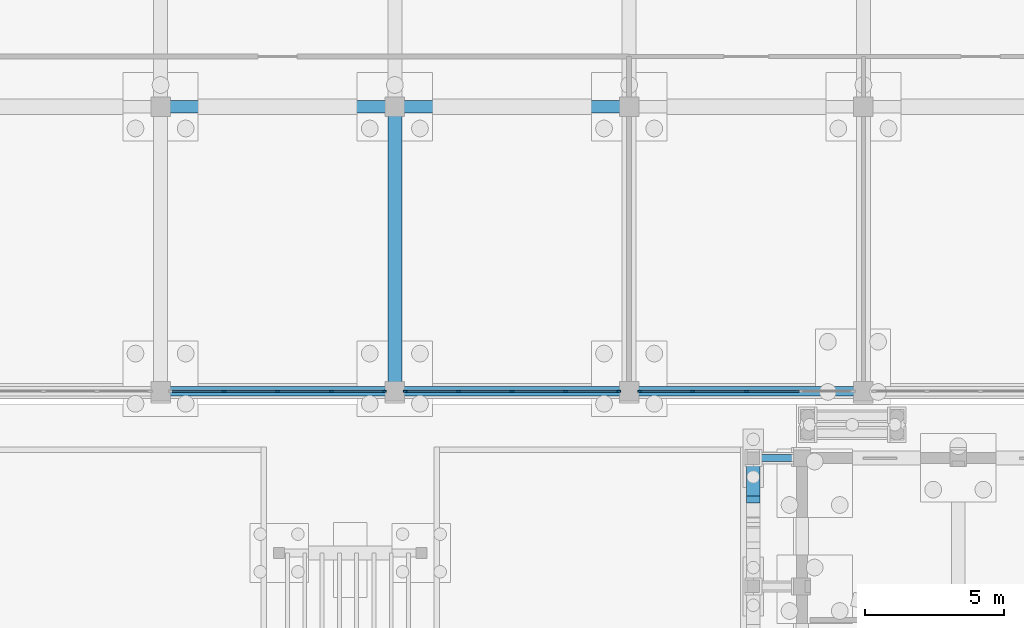
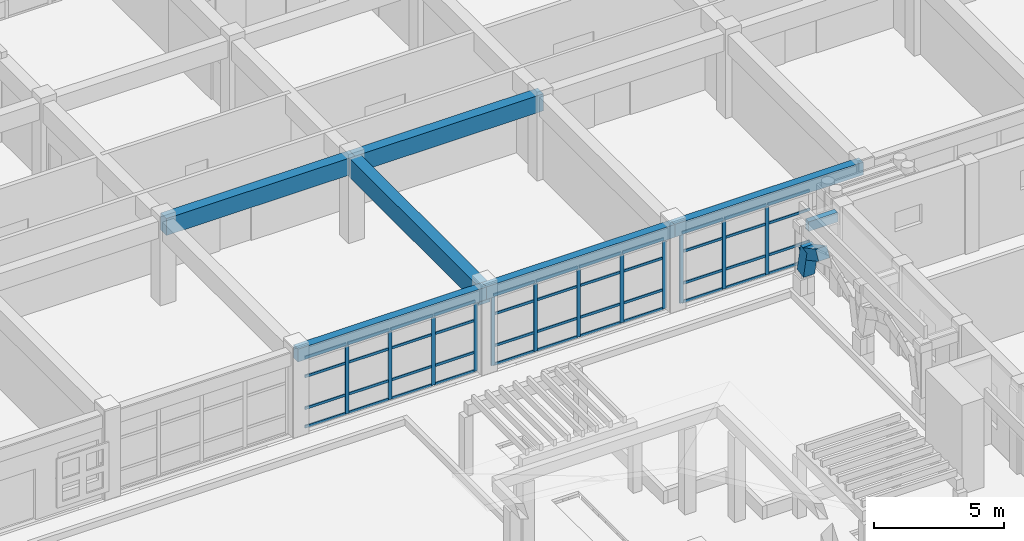
# One storey, part 37 of 112: 58 members, 7 beams, 3 elements without a shape of their own.
"""IFC4 building model written with IfcOpenShell, lengths in metres."""

from ifc_helpers import new_model, si_unit, direction, frame, origin, origin_2d, place, context, subcontext, project, spatial, rectangle, extrude, material, layer, layer_set, material_profile, profile_set, type_object, element, aggregate, save


model = new_model("IFC4")

# Units and contexts
model_context = context("Model", 3, precision=1e-05, world=origin(), true_north=direction((0.0, 1.0)))
body_context = subcontext(model_context, "Body", "Model", "MODEL_VIEW")
ifc_project = project(units=[si_unit("LENGTHUNIT", "METRE"), si_unit("AREAUNIT", "SQUARE_METRE"), si_unit("VOLUMEUNIT", "CUBIC_METRE"), si_unit("PLANEANGLEUNIT", "RADIAN"), si_unit("MASSUNIT", "GRAM", prefix="KILO")], contexts=[model_context])

# Site, building, storey
site_placement = place(None, origin())
site = spatial("IfcSite", under=ifc_project, at=site_placement, CompositionType="ELEMENT")
building_placement = place(site_placement, origin())
building = spatial("IfcBuilding", under=site, at=building_placement, Name="Wasatch Bagh Community Centre", CompositionType="ELEMENT")
storey_placement = place(building_placement, origin())
storey = spatial("IfcBuildingStorey", under=building, at=storey_placement, Name="L00", CompositionType="ELEMENT", Elevation=0.0)

# Beam
ifc_material_1 = material(Name="Concrete C35", Category="concrete")
ifc_material_profile_1 = material_profile(ifc_material_1, rectangle(XDim=0.25, YDim=0.449951171875, at=origin_2d()), Name="RC 250x450")
ifc_profile_set_1 = profile_set([ifc_material_profile_1], Name="Concrete C35")
beam_type_1 = type_object("IfcBeamType", Name="CL-B2", PredefinedType="BEAM", material=ifc_profile_set_1)
beam_1_placement = place(storey_placement, frame((111.89990234375, 65.800048828125, 3.625), z_axis=(-1.0, 0.0, 0.0), x_axis=(0.0, -1.0, 0.0)))
element("IfcBeam", 1, at=beam_1_placement, inside=storey, type_object=beam_type_1, Name="CL-B2 arcade cross beam SH 7", PredefinedType="BEAM", context=body_context, shape_type="SweptSolid", body=[
    extrude(rectangle(XDim=0.25, YDim=0.449951171875, at=origin_2d()), origin(), (0.0, 0.0, 1.0), 1.2998046875),
])

# Members
ifc_material_2 = material(Name="Concrete C40", Category="concrete")
ifc_material_profile_2 = material_profile(ifc_material_2, rectangle(XDim=0.5, YDim=0.5, at=origin_2d()), Name="RC 500x500")
ifc_profile_set_2 = profile_set([ifc_material_profile_2], Name="Concrete C40")
member_type_1 = type_object("IfcMemberType", Name="CL-R1", PredefinedType="MEMBER", material=ifc_profile_set_2)
member_1_placement = place(storey_placement, frame((110.449951171875, 64.317138671875, 3.243408203125), z_axis=(0.0, 0.881702034553, -0.471806657715), x_axis=(-1.0, 0.0, 0.0)))
element("IfcMember", 2, at=member_1_placement, inside=storey, type_object=member_type_1, Name="CL-R1 arch rib SH 2.5", PredefinedType="MEMBER", context=body_context, shape_type="SweptSolid", body=[
    extrude(rectangle(XDim=0.5, YDim=0.5, at=origin_2d()), origin(), (0.0, 0.0, 1.0), 1.486572265625),
])
member_2_placement = place(storey_placement, frame((110.449951171875, 65.35693359375, 2.90478515625), z_axis=(0.0, 0.202550853272, -0.979271745655), x_axis=(-1.0, 0.0, 0.0)))
element("IfcMember", 3, at=member_2_placement, inside=storey, type_object=member_type_1, Name="CL-R1 arch rib SH 2.6", PredefinedType="MEMBER", context=body_context, shape_type="SweptSolid", body=[
    extrude(rectangle(XDim=0.5, YDim=0.5, at=origin_2d()), origin(), (0.0, 0.0, 1.0), 1.3271484375),
])

# Beams
ifc_material_profile_3 = material_profile(ifc_material_1, rectangle(XDim=0.35009765625, YDim=0.60009765625, at=origin_2d()), Name="RC 350x600")
ifc_profile_set_3 = profile_set([ifc_material_profile_3], Name="Concrete C35")
beam_type_2 = type_object("IfcBeamType", Name="LW RC 350x600", PredefinedType="BEAM", material=ifc_profile_set_3)
beam_2_placement = place(storey_placement, frame((89.199951171875, 68.199951171875, 3.6201171875), z_axis=(1.0, 0.0, 0.0), x_axis=(0.0, 1.0, 0.0)))
element("IfcBeam", 4, at=beam_2_placement, inside=storey, type_object=beam_type_2, Name="W4-W5Z", PredefinedType="BEAM", context=body_context, shape_type="SweptSolid", body=[
    extrude(rectangle(XDim=0.35009765625, YDim=0.60009765625, at=origin_2d()), origin(), (0.0, 0.0, 1.0), 8.400146484375),
])
for number, where, z_axis, x_axis, name in (
    (5, (97.60009765625, 68.199951171875, 3.6201171875), (1.0, 0.0, 0.0), (0.0, 1.0, 0.0), "W5-W6Z"),
    (6, (106.0, 68.199951171875, 3.6201171875), (1.0, 0.0, 0.0), (0.0, 1.0, 0.0), "W6-W7Z"),
):
    element("IfcBeam", number, at=place(storey_placement, frame(where, z_axis=z_axis, x_axis=x_axis)), inside=storey, type_object=beam_type_2, Name=name, PredefinedType="BEAM", context=body_context, shape_type="SweptSolid", body=[
        extrude(rectangle(XDim=0.35009765625, YDim=0.60009765625, at=origin_2d()), origin(), (0.0, 0.0, 1.0), 8.39990234375),
    ])
ifc_material_profile_4 = material_profile(ifc_material_1, rectangle(XDim=0.449951171875, YDim=0.800048828125, at=origin_2d()), Name="RC 450x800")
ifc_profile_set_4 = profile_set([ifc_material_profile_4], Name="Concrete C35")
beam_type_3 = type_object("IfcBeamType", Name="LW RC 450x800", PredefinedType="BEAM", material=ifc_profile_set_4)
beam_3_placement = place(storey_placement, frame((89.199951171875, 78.39990234375, 3.52001953125), z_axis=(1.0, 0.0, 0.0), x_axis=(0.0, 1.0, 0.0)))
element("IfcBeam", 7, at=beam_3_placement, inside=storey, type_object=beam_type_3, Name="W4-W5S", PredefinedType="BEAM", context=body_context, shape_type="SweptSolid", body=[
    extrude(rectangle(XDim=0.449951171875, YDim=0.800048828125, at=origin_2d()), origin(), (0.0, 0.0, 1.0), 8.400146484375),
])
beam_4_placement = place(storey_placement, frame((97.60009765625, 78.39990234375, 3.52001953125), z_axis=(1.0, 0.0, 0.0), x_axis=(0.0, 1.0, 0.0)))
element("IfcBeam", 8, at=beam_4_placement, inside=storey, type_object=beam_type_3, Name="W5-W6S", PredefinedType="BEAM", context=body_context, shape_type="SweptSolid", body=[
    extrude(rectangle(XDim=0.449951171875, YDim=0.800048828125, at=origin_2d()), origin(), (0.0, 0.0, 1.0), 8.39990234375),
])
ifc_material_profile_5 = material_profile(ifc_material_1, rectangle(XDim=0.5, YDim=0.89990234375, at=origin_2d()), Name="RC 500x900")
ifc_profile_set_5 = profile_set([ifc_material_profile_5], Name="Concrete C35")
beam_type_4 = type_object("IfcBeamType", Name="LW RC 500x900", PredefinedType="BEAM", material=ifc_profile_set_5)
beam_5_placement = place(storey_placement, frame((97.60009765625, 68.199951171875, 3.469970703125), z_axis=(0.0, 1.0, 0.0), x_axis=(-1.0, 0.0, 0.0)))
element("IfcBeam", 9, at=beam_5_placement, inside=storey, type_object=beam_type_4, Name="W5Z-S", PredefinedType="BEAM", context=body_context, shape_type="SweptSolid", body=[
    extrude(rectangle(XDim=0.5, YDim=0.89990234375, at=origin_2d()), origin(), (0.0, 0.0, 1.0), 10.199951171875),
])

# Curtain wall, members
ifc_material_3 = material(Name="Aluminium curtain wall frame with low-iron glass", Category="aluminium")
ifc_layer = layer(ifc_material_3, 0.139892578125)
ifc_layer_set = layer_set([ifc_layer], Name="Aluminium curtain wall frame with low-iron glass")
curtain_wall_type = type_object("IfcCurtainWallType", Name="LW terrace front curtain wall 140", PredefinedType="NOTDEFINED", material=ifc_layer_set)
curtain_wall_1_placement = place(storey_placement, origin())
curtain_wall_1 = element("IfcCurtainWall", 10, at=curtain_wall_1_placement, inside=storey, type_object=curtain_wall_type, Name="Curtain wall 00.02", PredefinedType="NOTDEFINED")
ifc_material_4 = material(Name="Aluminium extrusion", Category="aluminium")
ifc_material_profile_6 = material_profile(ifc_material_4, rectangle(XDim=0.06005859375, YDim=0.159912109375, at=origin_2d()), Name="AL 60x160")
ifc_profile_set_6 = profile_set([ifc_material_profile_6], Name="Aluminium extrusion")
member_type_2 = type_object("IfcMemberType", Name="LW curtain wall mullion 60x160 LW-CW3", PredefinedType="MULLION", material=ifc_profile_set_6)
member_3_placement = place(storey_placement, frame((91.47509765625, 68.199951171875, 0.0), z_axis=(0.0, 0.0, 1.0), x_axis=(0.0, 1.0, 0.0)))
member_3 = element("IfcMember", 11, at=member_3_placement, type_object=member_type_2, Name="LW-CW3 mullion 2", PredefinedType="MULLION", context=body_context, shape_type="SweptSolid", body=[
    extrude(rectangle(XDim=0.06005859375, YDim=0.159912109375, at=origin_2d()), origin(), (0.0, 0.0, 1.0), 3.320068359375),
])
member_4_placement = place(storey_placement, frame((93.39990234375, 68.199951171875, 0.0), z_axis=(0.0, 0.0, 1.0), x_axis=(0.0, 1.0, 0.0)))
member_4 = element("IfcMember", 12, at=member_4_placement, type_object=member_type_2, Name="LW-CW3 mullion 3", PredefinedType="MULLION", context=body_context, shape_type="SweptSolid", body=[
    extrude(rectangle(XDim=0.06005859375, YDim=0.159912109375, at=origin_2d()), origin(), (0.0, 0.0, 1.0), 3.320068359375),
])
member_5_placement = place(storey_placement, frame((95.324951171875, 68.199951171875, 0.0), z_axis=(0.0, 0.0, 1.0), x_axis=(0.0, 1.0, 0.0)))
member_5 = element("IfcMember", 13, at=member_5_placement, type_object=member_type_2, Name="LW-CW3 mullion 4", PredefinedType="MULLION", context=body_context, shape_type="SweptSolid", body=[
    extrude(rectangle(XDim=0.06005859375, YDim=0.159912109375, at=origin_2d()), origin(), (0.0, 0.0, 1.0), 3.320068359375),
])
member_6_placement = place(storey_placement, frame((97.219970703125, 68.199951171875, 0.0), z_axis=(0.0, 0.0, 1.0), x_axis=(0.0, 1.0, 0.0)))
member_6 = element("IfcMember", 14, at=member_6_placement, type_object=member_type_2, Name="LW-CW3 mullion 5", PredefinedType="MULLION", context=body_context, shape_type="SweptSolid", body=[
    extrude(rectangle(XDim=0.06005859375, YDim=0.159912109375, at=origin_2d()), origin(), (0.0, 0.0, 1.0), 3.320068359375),
])

curtain_wall_2_placement = place(storey_placement, origin())
curtain_wall_2 = element("IfcCurtainWall", 15, at=curtain_wall_2_placement, inside=storey, type_object=curtain_wall_type, Name="Curtain wall 00.03", PredefinedType="NOTDEFINED")
member_7_placement = place(storey_placement, frame((97.97998046875, 68.199951171875, 0.0), z_axis=(0.0, 0.0, 1.0), x_axis=(0.0, 1.0, 0.0)))
member_7 = element("IfcMember", 16, at=member_7_placement, type_object=member_type_2, Name="LW-CW3 mullion 1", PredefinedType="MULLION", context=body_context, shape_type="SweptSolid", body=[
    extrude(rectangle(XDim=0.06005859375, YDim=0.159912109375, at=origin_2d()), origin(), (0.0, 0.0, 1.0), 3.320068359375),
])
member_8_placement = place(storey_placement, frame((99.875, 68.199951171875, 0.0), z_axis=(0.0, 0.0, 1.0), x_axis=(0.0, 1.0, 0.0)))
member_8 = element("IfcMember", 17, at=member_8_placement, type_object=member_type_2, Name="LW-CW3 mullion 2", PredefinedType="MULLION", context=body_context, shape_type="SweptSolid", body=[
    extrude(rectangle(XDim=0.06005859375, YDim=0.159912109375, at=origin_2d()), origin(), (0.0, 0.0, 1.0), 3.320068359375),
])
member_9_placement = place(storey_placement, frame((101.800048828125, 68.199951171875, 0.0), z_axis=(0.0, 0.0, 1.0), x_axis=(0.0, 1.0, 0.0)))
member_9 = element("IfcMember", 18, at=member_9_placement, type_object=member_type_2, Name="LW-CW3 mullion 3", PredefinedType="MULLION", context=body_context, shape_type="SweptSolid", body=[
    extrude(rectangle(XDim=0.06005859375, YDim=0.159912109375, at=origin_2d()), origin(), (0.0, 0.0, 1.0), 3.320068359375),
])
member_10_placement = place(storey_placement, frame((103.72509765625, 68.199951171875, 0.0), z_axis=(0.0, 0.0, 1.0), x_axis=(0.0, 1.0, 0.0)))
member_10 = element("IfcMember", 19, at=member_10_placement, type_object=member_type_2, Name="LW-CW3 mullion 4", PredefinedType="MULLION", context=body_context, shape_type="SweptSolid", body=[
    extrude(rectangle(XDim=0.06005859375, YDim=0.159912109375, at=origin_2d()), origin(), (0.0, 0.0, 1.0), 3.320068359375),
])
member_11_placement = place(storey_placement, frame((105.6201171875, 68.199951171875, 0.0), z_axis=(0.0, 0.0, 1.0), x_axis=(0.0, 1.0, 0.0)))
member_11 = element("IfcMember", 20, at=member_11_placement, type_object=member_type_2, Name="LW-CW3 mullion 5", PredefinedType="MULLION", context=body_context, shape_type="SweptSolid", body=[
    extrude(rectangle(XDim=0.06005859375, YDim=0.159912109375, at=origin_2d()), origin(), (0.0, 0.0, 1.0), 3.320068359375),
])

curtain_wall_3_placement = place(storey_placement, origin())
curtain_wall_3 = element("IfcCurtainWall", 21, at=curtain_wall_3_placement, inside=storey, type_object=curtain_wall_type, Name="Curtain wall 00.04", PredefinedType="NOTDEFINED")
member_12_placement = place(storey_placement, frame((106.3798828125, 68.199951171875, 0.0), z_axis=(0.0, 0.0, 1.0), x_axis=(0.0, 1.0, 0.0)))
member_12 = element("IfcMember", 22, at=member_12_placement, type_object=member_type_2, Name="LW-CW3 mullion 1", PredefinedType="MULLION", context=body_context, shape_type="SweptSolid", body=[
    extrude(rectangle(XDim=0.06005859375, YDim=0.159912109375, at=origin_2d()), origin(), (0.0, 0.0, 1.0), 3.320068359375),
])
member_13_placement = place(storey_placement, frame((108.27490234375, 68.199951171875, 0.0), z_axis=(0.0, 0.0, 1.0), x_axis=(0.0, 1.0, 0.0)))
member_13 = element("IfcMember", 23, at=member_13_placement, type_object=member_type_2, Name="LW-CW3 mullion 2", PredefinedType="MULLION", context=body_context, shape_type="SweptSolid", body=[
    extrude(rectangle(XDim=0.06005859375, YDim=0.159912109375, at=origin_2d()), origin(), (0.0, 0.0, 1.0), 3.320068359375),
])
member_14_placement = place(storey_placement, frame((110.199951171875, 68.199951171875, 0.0), z_axis=(0.0, 0.0, 1.0), x_axis=(0.0, 1.0, 0.0)))
member_14 = element("IfcMember", 24, at=member_14_placement, type_object=member_type_2, Name="LW-CW3 mullion 3", PredefinedType="MULLION", context=body_context, shape_type="SweptSolid", body=[
    extrude(rectangle(XDim=0.06005859375, YDim=0.159912109375, at=origin_2d()), origin(), (0.0, 0.0, 1.0), 3.320068359375),
])

# Member
ifc_material_profile_7 = material_profile(ifc_material_4, rectangle(XDim=0.06005859375, YDim=0.1201171875, at=origin_2d()), Name="AL 60x120")
ifc_profile_set_7 = profile_set([ifc_material_profile_7], Name="Aluminium extrusion")
member_type_3 = type_object("IfcMemberType", Name="LW curtain wall transom 60x120 LW-CW3", PredefinedType="USERDEFINED", material=ifc_profile_set_7)
member_15_placement = place(storey_placement, frame((89.610107421875, 68.199951171875, 0.030029296875), z_axis=(1.0, 0.0, 0.0), x_axis=(0.0, 1.0, 0.0)))
member_15 = element("IfcMember", 25, at=member_15_placement, type_object=member_type_3, Name="LW-CW3 transom 1.1", ObjectType="TRANSOM", PredefinedType="USERDEFINED", context=body_context, shape_type="SweptSolid", body=[
    extrude(rectangle(XDim=0.06005859375, YDim=0.1201171875, at=origin_2d()), origin(), (0.0, 0.0, 1.0), 1.8349609375),
])

member_16_placement = place(storey_placement, frame((89.610107421875, 68.199951171875, 0.89990234375), z_axis=(1.0, 0.0, 0.0), x_axis=(0.0, 1.0, 0.0)))
member_16 = element("IfcMember", 26, at=member_16_placement, type_object=member_type_3, Name="LW-CW3 transom 1.2", ObjectType="TRANSOM", PredefinedType="USERDEFINED", context=body_context, shape_type="SweptSolid", body=[
    extrude(rectangle(XDim=0.06005859375, YDim=0.1201171875, at=origin_2d()), origin(), (0.0, 0.0, 1.0), 1.8349609375),
])

member_17_placement = place(storey_placement, frame((89.610107421875, 68.199951171875, 2.39990234375), z_axis=(1.0, 0.0, 0.0), x_axis=(0.0, 1.0, 0.0)))
member_17 = element("IfcMember", 27, at=member_17_placement, type_object=member_type_3, Name="LW-CW3 transom 1.3", ObjectType="TRANSOM", PredefinedType="USERDEFINED", context=body_context, shape_type="SweptSolid", body=[
    extrude(rectangle(XDim=0.06005859375, YDim=0.1201171875, at=origin_2d()), origin(), (0.0, 0.0, 1.0), 1.8349609375),
])

member_18_placement = place(storey_placement, frame((89.610107421875, 68.199951171875, 3.2900390625), z_axis=(1.0, 0.0, 0.0), x_axis=(0.0, 1.0, 0.0)))
member_18 = element("IfcMember", 28, at=member_18_placement, type_object=member_type_3, Name="LW-CW3 transom 1.4", ObjectType="TRANSOM", PredefinedType="USERDEFINED", context=body_context, shape_type="SweptSolid", body=[
    extrude(rectangle(XDim=0.06005859375, YDim=0.1201171875, at=origin_2d()), origin(), (0.0, 0.0, 1.0), 1.8349609375),
])

member_19_placement = place(storey_placement, frame((91.5048828125, 68.199951171875, 0.030029296875), z_axis=(1.0, 0.0, 0.0), x_axis=(0.0, 1.0, 0.0)))
member_19 = element("IfcMember", 29, at=member_19_placement, type_object=member_type_3, Name="LW-CW3 transom 2.1", ObjectType="TRANSOM", PredefinedType="USERDEFINED", context=body_context, shape_type="SweptSolid", body=[
    extrude(rectangle(XDim=0.06005859375, YDim=0.1201171875, at=origin_2d()), origin(), (0.0, 0.0, 1.0), 1.865234375),
])

member_20_placement = place(storey_placement, frame((91.5048828125, 68.199951171875, 0.89990234375), z_axis=(1.0, 0.0, 0.0), x_axis=(0.0, 1.0, 0.0)))
member_20 = element("IfcMember", 30, at=member_20_placement, type_object=member_type_3, Name="LW-CW3 transom 2.2", ObjectType="TRANSOM", PredefinedType="USERDEFINED", context=body_context, shape_type="SweptSolid", body=[
    extrude(rectangle(XDim=0.06005859375, YDim=0.1201171875, at=origin_2d()), origin(), (0.0, 0.0, 1.0), 1.865234375),
])

member_21_placement = place(storey_placement, frame((91.5048828125, 68.199951171875, 2.39990234375), z_axis=(1.0, 0.0, 0.0), x_axis=(0.0, 1.0, 0.0)))
member_21 = element("IfcMember", 31, at=member_21_placement, type_object=member_type_3, Name="LW-CW3 transom 2.3", ObjectType="TRANSOM", PredefinedType="USERDEFINED", context=body_context, shape_type="SweptSolid", body=[
    extrude(rectangle(XDim=0.06005859375, YDim=0.1201171875, at=origin_2d()), origin(), (0.0, 0.0, 1.0), 1.865234375),
])

member_22_placement = place(storey_placement, frame((91.5048828125, 68.199951171875, 3.2900390625), z_axis=(1.0, 0.0, 0.0), x_axis=(0.0, 1.0, 0.0)))
member_22 = element("IfcMember", 32, at=member_22_placement, type_object=member_type_3, Name="LW-CW3 transom 2.4", ObjectType="TRANSOM", PredefinedType="USERDEFINED", context=body_context, shape_type="SweptSolid", body=[
    extrude(rectangle(XDim=0.06005859375, YDim=0.1201171875, at=origin_2d()), origin(), (0.0, 0.0, 1.0), 1.865234375),
])

member_23_placement = place(storey_placement, frame((93.429931640625, 68.199951171875, 0.030029296875), z_axis=(1.0, 0.0, 0.0), x_axis=(0.0, 1.0, 0.0)))
member_23 = element("IfcMember", 33, at=member_23_placement, type_object=member_type_3, Name="LW-CW3 transom 3.1", ObjectType="TRANSOM", PredefinedType="USERDEFINED", context=body_context, shape_type="SweptSolid", body=[
    extrude(rectangle(XDim=0.06005859375, YDim=0.1201171875, at=origin_2d()), origin(), (0.0, 0.0, 1.0), 1.864990234375),
])

member_24_placement = place(storey_placement, frame((93.429931640625, 68.199951171875, 0.89990234375), z_axis=(1.0, 0.0, 0.0), x_axis=(0.0, 1.0, 0.0)))
member_24 = element("IfcMember", 34, at=member_24_placement, type_object=member_type_3, Name="LW-CW3 transom 3.2", ObjectType="TRANSOM", PredefinedType="USERDEFINED", context=body_context, shape_type="SweptSolid", body=[
    extrude(rectangle(XDim=0.06005859375, YDim=0.1201171875, at=origin_2d()), origin(), (0.0, 0.0, 1.0), 1.864990234375),
])

member_25_placement = place(storey_placement, frame((93.429931640625, 68.199951171875, 2.39990234375), z_axis=(1.0, 0.0, 0.0), x_axis=(0.0, 1.0, 0.0)))
member_25 = element("IfcMember", 35, at=member_25_placement, type_object=member_type_3, Name="LW-CW3 transom 3.3", ObjectType="TRANSOM", PredefinedType="USERDEFINED", context=body_context, shape_type="SweptSolid", body=[
    extrude(rectangle(XDim=0.06005859375, YDim=0.1201171875, at=origin_2d()), origin(), (0.0, 0.0, 1.0), 1.864990234375),
])

member_26_placement = place(storey_placement, frame((93.429931640625, 68.199951171875, 3.2900390625), z_axis=(1.0, 0.0, 0.0), x_axis=(0.0, 1.0, 0.0)))
member_26 = element("IfcMember", 36, at=member_26_placement, type_object=member_type_3, Name="LW-CW3 transom 3.4", ObjectType="TRANSOM", PredefinedType="USERDEFINED", context=body_context, shape_type="SweptSolid", body=[
    extrude(rectangle(XDim=0.06005859375, YDim=0.1201171875, at=origin_2d()), origin(), (0.0, 0.0, 1.0), 1.864990234375),
])

member_27_placement = place(storey_placement, frame((95.35498046875, 68.199951171875, 0.030029296875), z_axis=(1.0, 0.0, 0.0), x_axis=(0.0, 1.0, 0.0)))
member_27 = element("IfcMember", 37, at=member_27_placement, type_object=member_type_3, Name="LW-CW3 transom 4.1", ObjectType="TRANSOM", PredefinedType="USERDEFINED", context=body_context, shape_type="SweptSolid", body=[
    extrude(rectangle(XDim=0.06005859375, YDim=0.1201171875, at=origin_2d()), origin(), (0.0, 0.0, 1.0), 1.8349609375),
])

member_28_placement = place(storey_placement, frame((95.35498046875, 68.199951171875, 0.89990234375), z_axis=(1.0, 0.0, 0.0), x_axis=(0.0, 1.0, 0.0)))
member_28 = element("IfcMember", 38, at=member_28_placement, type_object=member_type_3, Name="LW-CW3 transom 4.2", ObjectType="TRANSOM", PredefinedType="USERDEFINED", context=body_context, shape_type="SweptSolid", body=[
    extrude(rectangle(XDim=0.06005859375, YDim=0.1201171875, at=origin_2d()), origin(), (0.0, 0.0, 1.0), 1.8349609375),
])

member_29_placement = place(storey_placement, frame((95.35498046875, 68.199951171875, 2.39990234375), z_axis=(1.0, 0.0, 0.0), x_axis=(0.0, 1.0, 0.0)))
member_29 = element("IfcMember", 39, at=member_29_placement, type_object=member_type_3, Name="LW-CW3 transom 4.3", ObjectType="TRANSOM", PredefinedType="USERDEFINED", context=body_context, shape_type="SweptSolid", body=[
    extrude(rectangle(XDim=0.06005859375, YDim=0.1201171875, at=origin_2d()), origin(), (0.0, 0.0, 1.0), 1.8349609375),
])

member_30_placement = place(storey_placement, frame((95.35498046875, 68.199951171875, 3.2900390625), z_axis=(1.0, 0.0, 0.0), x_axis=(0.0, 1.0, 0.0)))
member_30 = element("IfcMember", 40, at=member_30_placement, type_object=member_type_3, Name="LW-CW3 transom 4.4", ObjectType="TRANSOM", PredefinedType="USERDEFINED", context=body_context, shape_type="SweptSolid", body=[
    extrude(rectangle(XDim=0.06005859375, YDim=0.1201171875, at=origin_2d()), origin(), (0.0, 0.0, 1.0), 1.8349609375),
])

aggregate(curtain_wall_1, [member_3, member_4, member_5, member_6, member_15, member_16, member_17, member_18, member_19, member_20, member_21, member_22, member_23, member_24, member_25, member_26, member_27, member_28, member_29, member_30])

member_31_placement = place(storey_placement, frame((98.010009765625, 68.199951171875, 0.030029296875), z_axis=(1.0, 0.0, 0.0), x_axis=(0.0, 1.0, 0.0)))
member_31 = element("IfcMember", 41, at=member_31_placement, type_object=member_type_3, Name="LW-CW3 transom 1.1", ObjectType="TRANSOM", PredefinedType="USERDEFINED", context=body_context, shape_type="SweptSolid", body=[
    extrude(rectangle(XDim=0.06005859375, YDim=0.1201171875, at=origin_2d()), origin(), (0.0, 0.0, 1.0), 1.8349609375),
])

member_32_placement = place(storey_placement, frame((98.010009765625, 68.199951171875, 0.89990234375), z_axis=(1.0, 0.0, 0.0), x_axis=(0.0, 1.0, 0.0)))
member_32 = element("IfcMember", 42, at=member_32_placement, type_object=member_type_3, Name="LW-CW3 transom 1.2", ObjectType="TRANSOM", PredefinedType="USERDEFINED", context=body_context, shape_type="SweptSolid", body=[
    extrude(rectangle(XDim=0.06005859375, YDim=0.1201171875, at=origin_2d()), origin(), (0.0, 0.0, 1.0), 1.8349609375),
])

member_33_placement = place(storey_placement, frame((98.010009765625, 68.199951171875, 2.39990234375), z_axis=(1.0, 0.0, 0.0), x_axis=(0.0, 1.0, 0.0)))
member_33 = element("IfcMember", 43, at=member_33_placement, type_object=member_type_3, Name="LW-CW3 transom 1.3", ObjectType="TRANSOM", PredefinedType="USERDEFINED", context=body_context, shape_type="SweptSolid", body=[
    extrude(rectangle(XDim=0.06005859375, YDim=0.1201171875, at=origin_2d()), origin(), (0.0, 0.0, 1.0), 1.8349609375),
])

member_34_placement = place(storey_placement, frame((98.010009765625, 68.199951171875, 3.2900390625), z_axis=(1.0, 0.0, 0.0), x_axis=(0.0, 1.0, 0.0)))
member_34 = element("IfcMember", 44, at=member_34_placement, type_object=member_type_3, Name="LW-CW3 transom 1.4", ObjectType="TRANSOM", PredefinedType="USERDEFINED", context=body_context, shape_type="SweptSolid", body=[
    extrude(rectangle(XDim=0.06005859375, YDim=0.1201171875, at=origin_2d()), origin(), (0.0, 0.0, 1.0), 1.8349609375),
])

member_35_placement = place(storey_placement, frame((99.905029296875, 68.199951171875, 0.030029296875), z_axis=(1.0, 0.0, 0.0), x_axis=(0.0, 1.0, 0.0)))
member_35 = element("IfcMember", 45, at=member_35_placement, type_object=member_type_3, Name="LW-CW3 transom 2.1", ObjectType="TRANSOM", PredefinedType="USERDEFINED", context=body_context, shape_type="SweptSolid", body=[
    extrude(rectangle(XDim=0.06005859375, YDim=0.1201171875, at=origin_2d()), origin(), (0.0, 0.0, 1.0), 1.864990234375),
])

member_36_placement = place(storey_placement, frame((99.905029296875, 68.199951171875, 0.89990234375), z_axis=(1.0, 0.0, 0.0), x_axis=(0.0, 1.0, 0.0)))
member_36 = element("IfcMember", 46, at=member_36_placement, type_object=member_type_3, Name="LW-CW3 transom 2.2", ObjectType="TRANSOM", PredefinedType="USERDEFINED", context=body_context, shape_type="SweptSolid", body=[
    extrude(rectangle(XDim=0.06005859375, YDim=0.1201171875, at=origin_2d()), origin(), (0.0, 0.0, 1.0), 1.864990234375),
])

member_37_placement = place(storey_placement, frame((99.905029296875, 68.199951171875, 2.39990234375), z_axis=(1.0, 0.0, 0.0), x_axis=(0.0, 1.0, 0.0)))
member_37 = element("IfcMember", 47, at=member_37_placement, type_object=member_type_3, Name="LW-CW3 transom 2.3", ObjectType="TRANSOM", PredefinedType="USERDEFINED", context=body_context, shape_type="SweptSolid", body=[
    extrude(rectangle(XDim=0.06005859375, YDim=0.1201171875, at=origin_2d()), origin(), (0.0, 0.0, 1.0), 1.864990234375),
])

member_38_placement = place(storey_placement, frame((99.905029296875, 68.199951171875, 3.2900390625), z_axis=(1.0, 0.0, 0.0), x_axis=(0.0, 1.0, 0.0)))
member_38 = element("IfcMember", 48, at=member_38_placement, type_object=member_type_3, Name="LW-CW3 transom 2.4", ObjectType="TRANSOM", PredefinedType="USERDEFINED", context=body_context, shape_type="SweptSolid", body=[
    extrude(rectangle(XDim=0.06005859375, YDim=0.1201171875, at=origin_2d()), origin(), (0.0, 0.0, 1.0), 1.864990234375),
])

member_39_placement = place(storey_placement, frame((101.830078125, 68.199951171875, 0.030029296875), z_axis=(1.0, 0.0, 0.0), x_axis=(0.0, 1.0, 0.0)))
member_39 = element("IfcMember", 49, at=member_39_placement, type_object=member_type_3, Name="LW-CW3 transom 3.1", ObjectType="TRANSOM", PredefinedType="USERDEFINED", context=body_context, shape_type="SweptSolid", body=[
    extrude(rectangle(XDim=0.06005859375, YDim=0.1201171875, at=origin_2d()), origin(), (0.0, 0.0, 1.0), 1.864990234375),
])

member_40_placement = place(storey_placement, frame((101.830078125, 68.199951171875, 0.89990234375), z_axis=(1.0, 0.0, 0.0), x_axis=(0.0, 1.0, 0.0)))
member_40 = element("IfcMember", 50, at=member_40_placement, type_object=member_type_3, Name="LW-CW3 transom 3.2", ObjectType="TRANSOM", PredefinedType="USERDEFINED", context=body_context, shape_type="SweptSolid", body=[
    extrude(rectangle(XDim=0.06005859375, YDim=0.1201171875, at=origin_2d()), origin(), (0.0, 0.0, 1.0), 1.864990234375),
])

member_41_placement = place(storey_placement, frame((101.830078125, 68.199951171875, 2.39990234375), z_axis=(1.0, 0.0, 0.0), x_axis=(0.0, 1.0, 0.0)))
member_41 = element("IfcMember", 51, at=member_41_placement, type_object=member_type_3, Name="LW-CW3 transom 3.3", ObjectType="TRANSOM", PredefinedType="USERDEFINED", context=body_context, shape_type="SweptSolid", body=[
    extrude(rectangle(XDim=0.06005859375, YDim=0.1201171875, at=origin_2d()), origin(), (0.0, 0.0, 1.0), 1.864990234375),
])

member_42_placement = place(storey_placement, frame((101.830078125, 68.199951171875, 3.2900390625), z_axis=(1.0, 0.0, 0.0), x_axis=(0.0, 1.0, 0.0)))
member_42 = element("IfcMember", 52, at=member_42_placement, type_object=member_type_3, Name="LW-CW3 transom 3.4", ObjectType="TRANSOM", PredefinedType="USERDEFINED", context=body_context, shape_type="SweptSolid", body=[
    extrude(rectangle(XDim=0.06005859375, YDim=0.1201171875, at=origin_2d()), origin(), (0.0, 0.0, 1.0), 1.864990234375),
])

member_43_placement = place(storey_placement, frame((103.7548828125, 68.199951171875, 0.030029296875), z_axis=(1.0, 0.0, 0.0), x_axis=(0.0, 1.0, 0.0)))
member_43 = element("IfcMember", 53, at=member_43_placement, type_object=member_type_3, Name="LW-CW3 transom 4.1", ObjectType="TRANSOM", PredefinedType="USERDEFINED", context=body_context, shape_type="SweptSolid", body=[
    extrude(rectangle(XDim=0.06005859375, YDim=0.1201171875, at=origin_2d()), origin(), (0.0, 0.0, 1.0), 1.835205078125),
])

member_44_placement = place(storey_placement, frame((103.7548828125, 68.199951171875, 0.89990234375), z_axis=(1.0, 0.0, 0.0), x_axis=(0.0, 1.0, 0.0)))
member_44 = element("IfcMember", 54, at=member_44_placement, type_object=member_type_3, Name="LW-CW3 transom 4.2", ObjectType="TRANSOM", PredefinedType="USERDEFINED", context=body_context, shape_type="SweptSolid", body=[
    extrude(rectangle(XDim=0.06005859375, YDim=0.1201171875, at=origin_2d()), origin(), (0.0, 0.0, 1.0), 1.835205078125),
])

member_45_placement = place(storey_placement, frame((103.7548828125, 68.199951171875, 2.39990234375), z_axis=(1.0, 0.0, 0.0), x_axis=(0.0, 1.0, 0.0)))
member_45 = element("IfcMember", 55, at=member_45_placement, type_object=member_type_3, Name="LW-CW3 transom 4.3", ObjectType="TRANSOM", PredefinedType="USERDEFINED", context=body_context, shape_type="SweptSolid", body=[
    extrude(rectangle(XDim=0.06005859375, YDim=0.1201171875, at=origin_2d()), origin(), (0.0, 0.0, 1.0), 1.835205078125),
])

member_46_placement = place(storey_placement, frame((103.7548828125, 68.199951171875, 3.2900390625), z_axis=(1.0, 0.0, 0.0), x_axis=(0.0, 1.0, 0.0)))
member_46 = element("IfcMember", 56, at=member_46_placement, type_object=member_type_3, Name="LW-CW3 transom 4.4", ObjectType="TRANSOM", PredefinedType="USERDEFINED", context=body_context, shape_type="SweptSolid", body=[
    extrude(rectangle(XDim=0.06005859375, YDim=0.1201171875, at=origin_2d()), origin(), (0.0, 0.0, 1.0), 1.835205078125),
])

aggregate(curtain_wall_2, [member_7, member_8, member_9, member_10, member_11, member_31, member_32, member_33, member_34, member_35, member_36, member_37, member_38, member_39, member_40, member_41, member_42, member_43, member_44, member_45, member_46])

member_47_placement = place(storey_placement, frame((106.409912109375, 68.199951171875, 0.030029296875), z_axis=(1.0, 0.0, 0.0), x_axis=(0.0, 1.0, 0.0)))
member_47 = element("IfcMember", 57, at=member_47_placement, type_object=member_type_3, Name="LW-CW3 transom 1.1", ObjectType="TRANSOM", PredefinedType="USERDEFINED", context=body_context, shape_type="SweptSolid", body=[
    extrude(rectangle(XDim=0.06005859375, YDim=0.1201171875, at=origin_2d()), origin(), (0.0, 0.0, 1.0), 1.835205078125),
])

member_48_placement = place(storey_placement, frame((106.409912109375, 68.199951171875, 0.89990234375), z_axis=(1.0, 0.0, 0.0), x_axis=(0.0, 1.0, 0.0)))
member_48 = element("IfcMember", 58, at=member_48_placement, type_object=member_type_3, Name="LW-CW3 transom 1.2", ObjectType="TRANSOM", PredefinedType="USERDEFINED", context=body_context, shape_type="SweptSolid", body=[
    extrude(rectangle(XDim=0.06005859375, YDim=0.1201171875, at=origin_2d()), origin(), (0.0, 0.0, 1.0), 1.835205078125),
])

member_49_placement = place(storey_placement, frame((106.409912109375, 68.199951171875, 2.39990234375), z_axis=(1.0, 0.0, 0.0), x_axis=(0.0, 1.0, 0.0)))
member_49 = element("IfcMember", 59, at=member_49_placement, type_object=member_type_3, Name="LW-CW3 transom 1.3", ObjectType="TRANSOM", PredefinedType="USERDEFINED", context=body_context, shape_type="SweptSolid", body=[
    extrude(rectangle(XDim=0.06005859375, YDim=0.1201171875, at=origin_2d()), origin(), (0.0, 0.0, 1.0), 1.835205078125),
])

member_50_placement = place(storey_placement, frame((106.409912109375, 68.199951171875, 3.2900390625), z_axis=(1.0, 0.0, 0.0), x_axis=(0.0, 1.0, 0.0)))
member_50 = element("IfcMember", 60, at=member_50_placement, type_object=member_type_3, Name="LW-CW3 transom 1.4", ObjectType="TRANSOM", PredefinedType="USERDEFINED", context=body_context, shape_type="SweptSolid", body=[
    extrude(rectangle(XDim=0.06005859375, YDim=0.1201171875, at=origin_2d()), origin(), (0.0, 0.0, 1.0), 1.835205078125),
])

member_51_placement = place(storey_placement, frame((108.304931640625, 68.199951171875, 0.030029296875), z_axis=(1.0, 0.0, 0.0), x_axis=(0.0, 1.0, 0.0)))
member_51 = element("IfcMember", 61, at=member_51_placement, type_object=member_type_3, Name="LW-CW3 transom 2.1", ObjectType="TRANSOM", PredefinedType="USERDEFINED", context=body_context, shape_type="SweptSolid", body=[
    extrude(rectangle(XDim=0.06005859375, YDim=0.1201171875, at=origin_2d()), origin(), (0.0, 0.0, 1.0), 1.864990234375),
])

member_52_placement = place(storey_placement, frame((108.304931640625, 68.199951171875, 0.89990234375), z_axis=(1.0, 0.0, 0.0), x_axis=(0.0, 1.0, 0.0)))
member_52 = element("IfcMember", 62, at=member_52_placement, type_object=member_type_3, Name="LW-CW3 transom 2.2", ObjectType="TRANSOM", PredefinedType="USERDEFINED", context=body_context, shape_type="SweptSolid", body=[
    extrude(rectangle(XDim=0.06005859375, YDim=0.1201171875, at=origin_2d()), origin(), (0.0, 0.0, 1.0), 1.864990234375),
])

member_53_placement = place(storey_placement, frame((108.304931640625, 68.199951171875, 2.39990234375), z_axis=(1.0, 0.0, 0.0), x_axis=(0.0, 1.0, 0.0)))
member_53 = element("IfcMember", 63, at=member_53_placement, type_object=member_type_3, Name="LW-CW3 transom 2.3", ObjectType="TRANSOM", PredefinedType="USERDEFINED", context=body_context, shape_type="SweptSolid", body=[
    extrude(rectangle(XDim=0.06005859375, YDim=0.1201171875, at=origin_2d()), origin(), (0.0, 0.0, 1.0), 1.864990234375),
])

member_54_placement = place(storey_placement, frame((108.304931640625, 68.199951171875, 3.2900390625), z_axis=(1.0, 0.0, 0.0), x_axis=(0.0, 1.0, 0.0)))
member_54 = element("IfcMember", 64, at=member_54_placement, type_object=member_type_3, Name="LW-CW3 transom 2.4", ObjectType="TRANSOM", PredefinedType="USERDEFINED", context=body_context, shape_type="SweptSolid", body=[
    extrude(rectangle(XDim=0.06005859375, YDim=0.1201171875, at=origin_2d()), origin(), (0.0, 0.0, 1.0), 1.864990234375),
])

member_55_placement = place(storey_placement, frame((110.22998046875, 68.199951171875, 0.030029296875), z_axis=(1.0, 0.0, 0.0), x_axis=(0.0, 1.0, 0.0)))
member_55 = element("IfcMember", 65, at=member_55_placement, type_object=member_type_3, Name="LW-CW3 transom 3.1", ObjectType="TRANSOM", PredefinedType="USERDEFINED", context=body_context, shape_type="SweptSolid", body=[
    extrude(rectangle(XDim=0.06005859375, YDim=0.1201171875, at=origin_2d()), origin(), (0.0, 0.0, 1.0), 1.864990234375),
])

member_56_placement = place(storey_placement, frame((110.22998046875, 68.199951171875, 0.89990234375), z_axis=(1.0, 0.0, 0.0), x_axis=(0.0, 1.0, 0.0)))
member_56 = element("IfcMember", 66, at=member_56_placement, type_object=member_type_3, Name="LW-CW3 transom 3.2", ObjectType="TRANSOM", PredefinedType="USERDEFINED", context=body_context, shape_type="SweptSolid", body=[
    extrude(rectangle(XDim=0.06005859375, YDim=0.1201171875, at=origin_2d()), origin(), (0.0, 0.0, 1.0), 1.864990234375),
])

member_57_placement = place(storey_placement, frame((110.22998046875, 68.199951171875, 2.39990234375), z_axis=(1.0, 0.0, 0.0), x_axis=(0.0, 1.0, 0.0)))
member_57 = element("IfcMember", 67, at=member_57_placement, type_object=member_type_3, Name="LW-CW3 transom 3.3", ObjectType="TRANSOM", PredefinedType="USERDEFINED", context=body_context, shape_type="SweptSolid", body=[
    extrude(rectangle(XDim=0.06005859375, YDim=0.1201171875, at=origin_2d()), origin(), (0.0, 0.0, 1.0), 1.864990234375),
])

member_58_placement = place(storey_placement, frame((110.22998046875, 68.199951171875, 3.2900390625), z_axis=(1.0, 0.0, 0.0), x_axis=(0.0, 1.0, 0.0)))
member_58 = element("IfcMember", 68, at=member_58_placement, type_object=member_type_3, Name="LW-CW3 transom 3.4", ObjectType="TRANSOM", PredefinedType="USERDEFINED", context=body_context, shape_type="SweptSolid", body=[
    extrude(rectangle(XDim=0.06005859375, YDim=0.1201171875, at=origin_2d()), origin(), (0.0, 0.0, 1.0), 1.864990234375),
])

aggregate(curtain_wall_3, [member_12, member_13, member_14, member_47, member_48, member_49, member_50, member_51, member_52, member_53, member_54, member_55, member_56, member_57, member_58])

save(model, "model.ifc")
